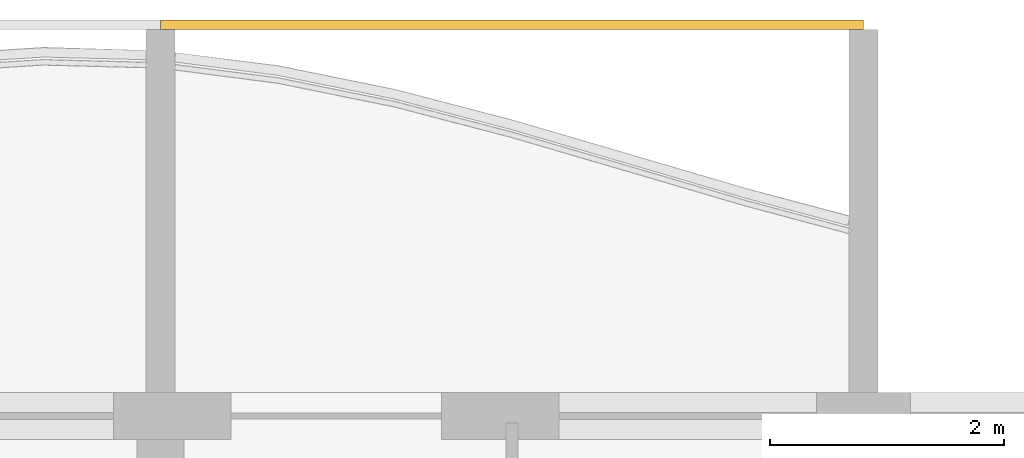
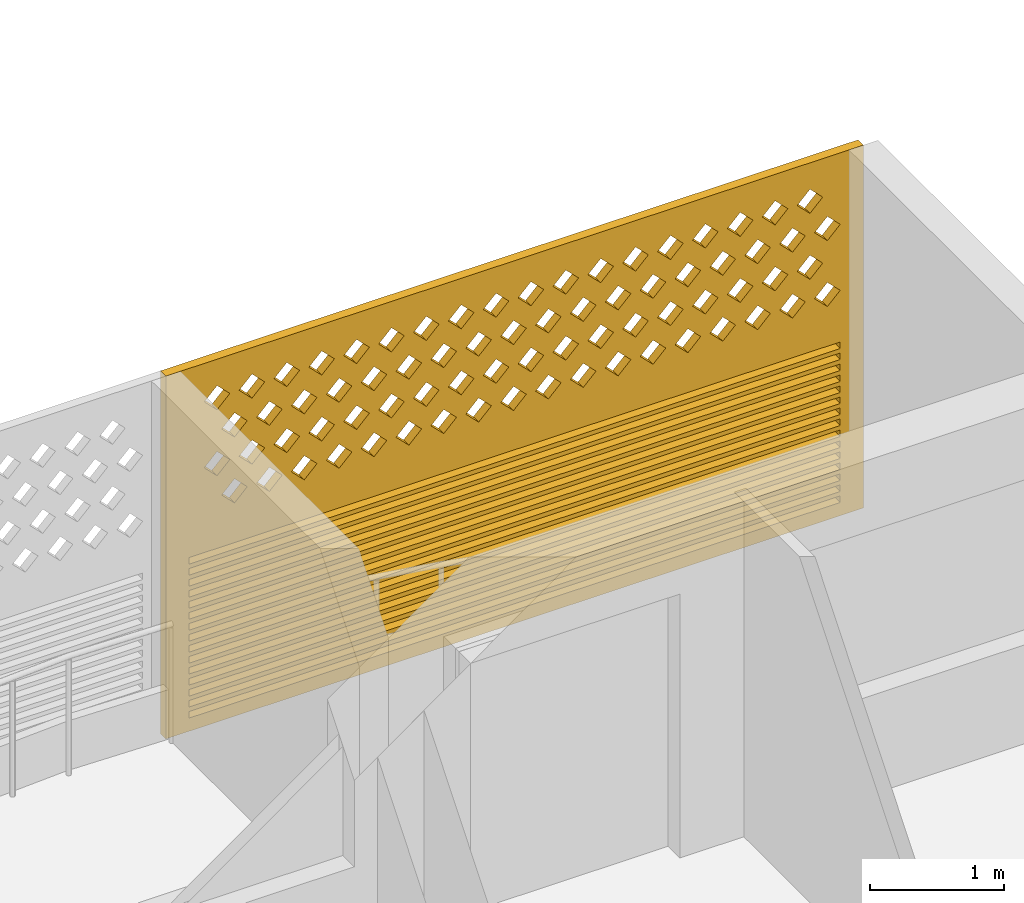
# One storey, part 28 of 39: 1 covering.
"""IFC4 building model written with IfcOpenShell, lengths in metres."""

from ifc_helpers import new_model, si_unit, direction, frame, origin, place, context, subcontext, project, spatial, polyline, outline, extrude, source, transform, mapped, material, material_profile, profile_set, type_object, element, save


model = new_model("IFC4")

# Units and contexts
model_context = context("Model", 3, precision=1e-05, world=origin(), true_north=direction((0.0, 1.0)))
body_context = subcontext(model_context, "Body", "Model", "MODEL_VIEW")
ifc_project = project(units=[si_unit("LENGTHUNIT", "METRE"), si_unit("AREAUNIT", "SQUARE_METRE"), si_unit("VOLUMEUNIT", "CUBIC_METRE"), si_unit("PLANEANGLEUNIT", "RADIAN"), si_unit("MASSUNIT", "GRAM", prefix="KILO")], contexts=[model_context])

# Site, building, storey
site_placement = place(None, origin())
site = spatial("IfcSite", under=ifc_project, at=site_placement, CompositionType="ELEMENT")
building_placement = place(site_placement, origin())
building = spatial("IfcBuilding", under=site, at=building_placement, Name="Poui Terraces", CompositionType="ELEMENT")
storey_placement = place(building_placement, frame((0.0, 0.0, 59.699951171875)))
storey = spatial("IfcBuildingStorey", under=building, at=storey_placement, Name="L16", CompositionType="ELEMENT", Elevation=59.699951171875)

# Covering
ifc_material = material(Name="Terracotta screen", Category="masonry")
ifc_material_profile = material_profile(ifc_material, outline(polyline([(-3.0, -1.64990234375), (3.0, -1.64990234375), (3.0, 1.64990234375), (-3.0, 1.64990234375), (-3.0, -1.64990234375)]), holes=[polyline([(-2.800048828125, 0.39990234375), (-2.68994140625, 0.2900390625), (-2.580078125, 0.39990234375), (-2.68994140625, 0.510009765625), (-2.800048828125, 0.39990234375)]), polyline([(-2.5, 0.39990234375), (-2.389892578125, 0.2900390625), (-2.280029296875, 0.39990234375), (-2.389892578125, 0.510009765625), (-2.5, 0.39990234375)]), polyline([(-2.199951171875, 0.39990234375), (-2.090087890625, 0.2900390625), (-1.97998046875, 0.39990234375), (-2.090087890625, 0.510009765625), (-2.199951171875, 0.39990234375)]), polyline([(-1.89990234375, 0.39990234375), (-1.7900390625, 0.2900390625), (-1.679931640625, 0.39990234375), (-1.7900390625, 0.510009765625), (-1.89990234375, 0.39990234375)]), polyline([(-1.60009765625, 0.39990234375), (-1.489990234375, 0.2900390625), (-1.3798828125, 0.39990234375), (-1.489990234375, 0.510009765625), (-1.60009765625, 0.39990234375)]), polyline([(-1.300048828125, 0.39990234375), (-1.18994140625, 0.2900390625), (-1.080078125, 0.39990234375), (-1.18994140625, 0.510009765625), (-1.300048828125, 0.39990234375)]), polyline([(-1.0, 0.39990234375), (-0.889892578125, 0.2900390625), (-0.780029296875, 0.39990234375), (-0.889892578125, 0.510009765625), (-1.0, 0.39990234375)]), polyline([(-0.699951171875, 0.39990234375), (-0.590087890625, 0.2900390625), (-0.47998046875, 0.39990234375), (-0.590087890625, 0.510009765625), (-0.699951171875, 0.39990234375)]), polyline([(-0.39990234375, 0.39990234375), (-0.2900390625, 0.2900390625), (-0.179931640625, 0.39990234375), (-0.2900390625, 0.510009765625), (-0.39990234375, 0.39990234375)]), polyline([(-0.10009765625, 0.39990234375), (0.010009765625, 0.2900390625), (0.1201171875, 0.39990234375), (0.010009765625, 0.510009765625), (-0.10009765625, 0.39990234375)]), polyline([(0.199951171875, 0.39990234375), (0.31005859375, 0.2900390625), (0.419921875, 0.39990234375), (0.31005859375, 0.510009765625), (0.199951171875, 0.39990234375)]), polyline([(0.5, 0.39990234375), (0.610107421875, 0.2900390625), (0.719970703125, 0.39990234375), (0.610107421875, 0.510009765625), (0.5, 0.39990234375)]), polyline([(0.800048828125, 0.39990234375), (0.909912109375, 0.2900390625), (1.02001953125, 0.39990234375), (0.909912109375, 0.510009765625), (0.800048828125, 0.39990234375)]), polyline([(1.10009765625, 0.39990234375), (1.2099609375, 0.2900390625), (1.320068359375, 0.39990234375), (1.2099609375, 0.510009765625), (1.10009765625, 0.39990234375)]), polyline([(1.39990234375, 0.39990234375), (1.510009765625, 0.2900390625), (1.6201171875, 0.39990234375), (1.510009765625, 0.510009765625), (1.39990234375, 0.39990234375)]), polyline([(1.699951171875, 0.39990234375), (1.81005859375, 0.2900390625), (1.919921875, 0.39990234375), (1.81005859375, 0.510009765625), (1.699951171875, 0.39990234375)]), polyline([(2.0, 0.39990234375), (2.110107421875, 0.2900390625), (2.219970703125, 0.39990234375), (2.110107421875, 0.510009765625), (2.0, 0.39990234375)]), polyline([(2.300048828125, 0.39990234375), (2.409912109375, 0.2900390625), (2.52001953125, 0.39990234375), (2.409912109375, 0.510009765625), (2.300048828125, 0.39990234375)]), polyline([(-2.64990234375, 0.699951171875), (-2.5400390625, 0.590087890625), (-2.429931640625, 0.699951171875), (-2.5400390625, 0.81005859375), (-2.64990234375, 0.699951171875)]), polyline([(-2.35009765625, 0.699951171875), (-2.239990234375, 0.590087890625), (-2.1298828125, 0.699951171875), (-2.239990234375, 0.81005859375), (-2.35009765625, 0.699951171875)]), polyline([(-2.050048828125, 0.699951171875), (-1.93994140625, 0.590087890625), (-1.830078125, 0.699951171875), (-1.93994140625, 0.81005859375), (-2.050048828125, 0.699951171875)]), polyline([(-1.75, 0.699951171875), (-1.639892578125, 0.590087890625), (-1.530029296875, 0.699951171875), (-1.639892578125, 0.81005859375), (-1.75, 0.699951171875)]), polyline([(-1.449951171875, 0.699951171875), (-1.340087890625, 0.590087890625), (-1.22998046875, 0.699951171875), (-1.340087890625, 0.81005859375), (-1.449951171875, 0.699951171875)]), polyline([(-1.14990234375, 0.699951171875), (-1.0400390625, 0.590087890625), (-0.929931640625, 0.699951171875), (-1.0400390625, 0.81005859375), (-1.14990234375, 0.699951171875)]), polyline([(-0.85009765625, 0.699951171875), (-0.739990234375, 0.590087890625), (-0.6298828125, 0.699951171875), (-0.739990234375, 0.81005859375), (-0.85009765625, 0.699951171875)]), polyline([(-0.550048828125, 0.699951171875), (-0.43994140625, 0.590087890625), (-0.330078125, 0.699951171875), (-0.43994140625, 0.81005859375), (-0.550048828125, 0.699951171875)]), polyline([(-0.25, 0.699951171875), (-0.139892578125, 0.590087890625), (-0.030029296875, 0.699951171875), (-0.139892578125, 0.81005859375), (-0.25, 0.699951171875)]), polyline([(0.050048828125, 0.699951171875), (0.159912109375, 0.590087890625), (0.27001953125, 0.699951171875), (0.159912109375, 0.81005859375), (0.050048828125, 0.699951171875)]), polyline([(0.35009765625, 0.699951171875), (0.4599609375, 0.590087890625), (0.570068359375, 0.699951171875), (0.4599609375, 0.81005859375), (0.35009765625, 0.699951171875)]), polyline([(0.64990234375, 0.699951171875), (0.760009765625, 0.590087890625), (0.8701171875, 0.699951171875), (0.760009765625, 0.81005859375), (0.64990234375, 0.699951171875)]), polyline([(0.949951171875, 0.699951171875), (1.06005859375, 0.590087890625), (1.169921875, 0.699951171875), (1.06005859375, 0.81005859375), (0.949951171875, 0.699951171875)]), polyline([(1.25, 0.699951171875), (1.360107421875, 0.590087890625), (1.469970703125, 0.699951171875), (1.360107421875, 0.81005859375), (1.25, 0.699951171875)]), polyline([(1.550048828125, 0.699951171875), (1.659912109375, 0.590087890625), (1.77001953125, 0.699951171875), (1.659912109375, 0.81005859375), (1.550048828125, 0.699951171875)]), polyline([(1.85009765625, 0.699951171875), (1.9599609375, 0.590087890625), (2.070068359375, 0.699951171875), (1.9599609375, 0.81005859375), (1.85009765625, 0.699951171875)]), polyline([(2.14990234375, 0.699951171875), (2.260009765625, 0.590087890625), (2.3701171875, 0.699951171875), (2.260009765625, 0.81005859375), (2.14990234375, 0.699951171875)]), polyline([(2.449951171875, 0.699951171875), (2.56005859375, 0.590087890625), (2.669921875, 0.699951171875), (2.56005859375, 0.81005859375), (2.449951171875, 0.699951171875)]), polyline([(-2.800048828125, 1.0), (-2.68994140625, 0.889892578125), (-2.580078125, 1.0), (-2.68994140625, 1.110107421875), (-2.800048828125, 1.0)]), polyline([(-2.5, 1.0), (-2.389892578125, 0.889892578125), (-2.280029296875, 1.0), (-2.389892578125, 1.110107421875), (-2.5, 1.0)]), polyline([(-2.199951171875, 1.0), (-2.090087890625, 0.889892578125), (-1.97998046875, 1.0), (-2.090087890625, 1.110107421875), (-2.199951171875, 1.0)]), polyline([(-1.89990234375, 1.0), (-1.7900390625, 0.889892578125), (-1.679931640625, 1.0), (-1.7900390625, 1.110107421875), (-1.89990234375, 1.0)]), polyline([(-1.60009765625, 1.0), (-1.489990234375, 0.889892578125), (-1.3798828125, 1.0), (-1.489990234375, 1.110107421875), (-1.60009765625, 1.0)]), polyline([(-1.300048828125, 1.0), (-1.18994140625, 0.889892578125), (-1.080078125, 1.0), (-1.18994140625, 1.110107421875), (-1.300048828125, 1.0)]), polyline([(-1.0, 1.0), (-0.889892578125, 0.889892578125), (-0.780029296875, 1.0), (-0.889892578125, 1.110107421875), (-1.0, 1.0)]), polyline([(-0.699951171875, 1.0), (-0.590087890625, 0.889892578125), (-0.47998046875, 1.0), (-0.590087890625, 1.110107421875), (-0.699951171875, 1.0)]), polyline([(-0.39990234375, 1.0), (-0.2900390625, 0.889892578125), (-0.179931640625, 1.0), (-0.2900390625, 1.110107421875), (-0.39990234375, 1.0)]), polyline([(-0.10009765625, 1.0), (0.010009765625, 0.889892578125), (0.1201171875, 1.0), (0.010009765625, 1.110107421875), (-0.10009765625, 1.0)]), polyline([(0.199951171875, 1.0), (0.31005859375, 0.889892578125), (0.419921875, 1.0), (0.31005859375, 1.110107421875), (0.199951171875, 1.0)]), polyline([(0.5, 1.0), (0.610107421875, 0.889892578125), (0.719970703125, 1.0), (0.610107421875, 1.110107421875), (0.5, 1.0)]), polyline([(0.800048828125, 1.0), (0.909912109375, 0.889892578125), (1.02001953125, 1.0), (0.909912109375, 1.110107421875), (0.800048828125, 1.0)]), polyline([(1.10009765625, 1.0), (1.2099609375, 0.889892578125), (1.320068359375, 1.0), (1.2099609375, 1.110107421875), (1.10009765625, 1.0)]), polyline([(1.39990234375, 1.0), (1.510009765625, 0.889892578125), (1.6201171875, 1.0), (1.510009765625, 1.110107421875), (1.39990234375, 1.0)]), polyline([(1.699951171875, 1.0), (1.81005859375, 0.889892578125), (1.919921875, 1.0), (1.81005859375, 1.110107421875), (1.699951171875, 1.0)]), polyline([(2.0, 1.0), (2.110107421875, 0.889892578125), (2.219970703125, 1.0), (2.110107421875, 1.110107421875), (2.0, 1.0)]), polyline([(2.300048828125, 1.0), (2.409912109375, 0.889892578125), (2.52001953125, 1.0), (2.409912109375, 1.110107421875), (2.300048828125, 1.0)]), polyline([(-2.64990234375, 1.300048828125), (-2.5400390625, 1.18994140625), (-2.429931640625, 1.300048828125), (-2.5400390625, 1.409912109375), (-2.64990234375, 1.300048828125)]), polyline([(-2.35009765625, 1.300048828125), (-2.239990234375, 1.18994140625), (-2.1298828125, 1.300048828125), (-2.239990234375, 1.409912109375), (-2.35009765625, 1.300048828125)]), polyline([(-2.050048828125, 1.300048828125), (-1.93994140625, 1.18994140625), (-1.830078125, 1.300048828125), (-1.93994140625, 1.409912109375), (-2.050048828125, 1.300048828125)]), polyline([(-1.75, 1.300048828125), (-1.639892578125, 1.18994140625), (-1.530029296875, 1.300048828125), (-1.639892578125, 1.409912109375), (-1.75, 1.300048828125)]), polyline([(-1.449951171875, 1.300048828125), (-1.340087890625, 1.18994140625), (-1.22998046875, 1.300048828125), (-1.340087890625, 1.409912109375), (-1.449951171875, 1.300048828125)]), polyline([(-1.14990234375, 1.300048828125), (-1.0400390625, 1.18994140625), (-0.929931640625, 1.300048828125), (-1.0400390625, 1.409912109375), (-1.14990234375, 1.300048828125)]), polyline([(-0.85009765625, 1.300048828125), (-0.739990234375, 1.18994140625), (-0.6298828125, 1.300048828125), (-0.739990234375, 1.409912109375), (-0.85009765625, 1.300048828125)]), polyline([(-0.550048828125, 1.300048828125), (-0.43994140625, 1.18994140625), (-0.330078125, 1.300048828125), (-0.43994140625, 1.409912109375), (-0.550048828125, 1.300048828125)]), polyline([(-0.25, 1.300048828125), (-0.139892578125, 1.18994140625), (-0.030029296875, 1.300048828125), (-0.139892578125, 1.409912109375), (-0.25, 1.300048828125)]), polyline([(0.050048828125, 1.300048828125), (0.159912109375, 1.18994140625), (0.27001953125, 1.300048828125), (0.159912109375, 1.409912109375), (0.050048828125, 1.300048828125)]), polyline([(0.35009765625, 1.300048828125), (0.4599609375, 1.18994140625), (0.570068359375, 1.300048828125), (0.4599609375, 1.409912109375), (0.35009765625, 1.300048828125)]), polyline([(0.64990234375, 1.300048828125), (0.760009765625, 1.18994140625), (0.8701171875, 1.300048828125), (0.760009765625, 1.409912109375), (0.64990234375, 1.300048828125)]), polyline([(0.949951171875, 1.300048828125), (1.06005859375, 1.18994140625), (1.169921875, 1.300048828125), (1.06005859375, 1.409912109375), (0.949951171875, 1.300048828125)]), polyline([(1.25, 1.300048828125), (1.360107421875, 1.18994140625), (1.469970703125, 1.300048828125), (1.360107421875, 1.409912109375), (1.25, 1.300048828125)]), polyline([(1.550048828125, 1.300048828125), (1.659912109375, 1.18994140625), (1.77001953125, 1.300048828125), (1.659912109375, 1.409912109375), (1.550048828125, 1.300048828125)]), polyline([(1.85009765625, 1.300048828125), (1.9599609375, 1.18994140625), (2.070068359375, 1.300048828125), (1.9599609375, 1.409912109375), (1.85009765625, 1.300048828125)]), polyline([(2.14990234375, 1.300048828125), (2.260009765625, 1.18994140625), (2.3701171875, 1.300048828125), (2.260009765625, 1.409912109375), (2.14990234375, 1.300048828125)]), polyline([(2.449951171875, 1.300048828125), (2.56005859375, 1.18994140625), (2.669921875, 1.300048828125), (2.56005859375, 1.409912109375), (2.449951171875, 1.300048828125)]), polyline([(-2.800048828125, -1.530029296875), (2.800048828125, -1.530029296875), (2.800048828125, -1.469970703125), (-2.800048828125, -1.469970703125), (-2.800048828125, -1.530029296875)]), polyline([(-2.800048828125, -1.429931640625), (2.800048828125, -1.429931640625), (2.800048828125, -1.3701171875), (-2.800048828125, -1.3701171875), (-2.800048828125, -1.429931640625)]), polyline([(-2.800048828125, -1.330078125), (2.800048828125, -1.330078125), (2.800048828125, -1.27001953125), (-2.800048828125, -1.27001953125), (-2.800048828125, -1.330078125)]), polyline([(-2.800048828125, -1.22998046875), (2.800048828125, -1.22998046875), (2.800048828125, -1.169921875), (-2.800048828125, -1.169921875), (-2.800048828125, -1.22998046875)]), polyline([(-2.800048828125, -1.1298828125), (2.800048828125, -1.1298828125), (2.800048828125, -1.070068359375), (-2.800048828125, -1.070068359375), (-2.800048828125, -1.1298828125)]), polyline([(-2.800048828125, -1.030029296875), (2.800048828125, -1.030029296875), (2.800048828125, -0.969970703125), (-2.800048828125, -0.969970703125), (-2.800048828125, -1.030029296875)]), polyline([(-2.800048828125, -0.929931640625), (2.800048828125, -0.929931640625), (2.800048828125, -0.8701171875), (-2.800048828125, -0.8701171875), (-2.800048828125, -0.929931640625)]), polyline([(-2.800048828125, -0.830078125), (2.800048828125, -0.830078125), (2.800048828125, -0.77001953125), (-2.800048828125, -0.77001953125), (-2.800048828125, -0.830078125)]), polyline([(-2.800048828125, -0.72998046875), (2.800048828125, -0.72998046875), (2.800048828125, -0.669921875), (-2.800048828125, -0.669921875), (-2.800048828125, -0.72998046875)]), polyline([(-2.800048828125, -0.6298828125), (2.800048828125, -0.6298828125), (2.800048828125, -0.570068359375), (-2.800048828125, -0.570068359375), (-2.800048828125, -0.6298828125)]), polyline([(-2.800048828125, -0.530029296875), (2.800048828125, -0.530029296875), (2.800048828125, -0.469970703125), (-2.800048828125, -0.469970703125), (-2.800048828125, -0.530029296875)]), polyline([(-2.800048828125, -0.429931640625), (2.800048828125, -0.429931640625), (2.800048828125, -0.3701171875), (-2.800048828125, -0.3701171875), (-2.800048828125, -0.429931640625)]), polyline([(-2.800048828125, -0.330078125), (2.800048828125, -0.330078125), (2.800048828125, -0.27001953125), (-2.800048828125, -0.27001953125), (-2.800048828125, -0.330078125)]), polyline([(-2.800048828125, -0.22998046875), (2.800048828125, -0.22998046875), (2.800048828125, -0.169921875), (-2.800048828125, -0.169921875), (-2.800048828125, -0.22998046875)]), polyline([(-2.800048828125, -0.1298828125), (2.800048828125, -0.1298828125), (2.800048828125, -0.070068359375), (-2.800048828125, -0.070068359375), (-2.800048828125, -0.1298828125)])]), Name="TERRACOTTA SCREEN AND JALOUSIE LOUVRE 6000X3300")
ifc_profile_set = profile_set([ifc_material_profile], Name="Terracotta screen")
covering_type = type_object("IfcCoveringType", Name="TERRACOTTA SCREEN AND JALOUSIE LOUVRE 6000X3300", PredefinedType="CLADDING", material=ifc_profile_set)
shared_shape = source(origin(), body_context, "Body", "SweptSolid", [
    extrude(outline(polyline([(-3.0, -1.64990234375), (3.0, -1.64990234375), (3.0, 1.64990234375), (-3.0, 1.64990234375), (-3.0, -1.64990234375)]), holes=[polyline([(-2.800048828125, 0.39990234375), (-2.68994140625, 0.2900390625), (-2.580078125, 0.39990234375), (-2.68994140625, 0.510009765625), (-2.800048828125, 0.39990234375)]), polyline([(-2.5, 0.39990234375), (-2.389892578125, 0.2900390625), (-2.280029296875, 0.39990234375), (-2.389892578125, 0.510009765625), (-2.5, 0.39990234375)]), polyline([(-2.199951171875, 0.39990234375), (-2.090087890625, 0.2900390625), (-1.97998046875, 0.39990234375), (-2.090087890625, 0.510009765625), (-2.199951171875, 0.39990234375)]), polyline([(-1.89990234375, 0.39990234375), (-1.7900390625, 0.2900390625), (-1.679931640625, 0.39990234375), (-1.7900390625, 0.510009765625), (-1.89990234375, 0.39990234375)]), polyline([(-1.60009765625, 0.39990234375), (-1.489990234375, 0.2900390625), (-1.3798828125, 0.39990234375), (-1.489990234375, 0.510009765625), (-1.60009765625, 0.39990234375)]), polyline([(-1.300048828125, 0.39990234375), (-1.18994140625, 0.2900390625), (-1.080078125, 0.39990234375), (-1.18994140625, 0.510009765625), (-1.300048828125, 0.39990234375)]), polyline([(-1.0, 0.39990234375), (-0.889892578125, 0.2900390625), (-0.780029296875, 0.39990234375), (-0.889892578125, 0.510009765625), (-1.0, 0.39990234375)]), polyline([(-0.699951171875, 0.39990234375), (-0.590087890625, 0.2900390625), (-0.47998046875, 0.39990234375), (-0.590087890625, 0.510009765625), (-0.699951171875, 0.39990234375)]), polyline([(-0.39990234375, 0.39990234375), (-0.2900390625, 0.2900390625), (-0.179931640625, 0.39990234375), (-0.2900390625, 0.510009765625), (-0.39990234375, 0.39990234375)]), polyline([(-0.10009765625, 0.39990234375), (0.010009765625, 0.2900390625), (0.1201171875, 0.39990234375), (0.010009765625, 0.510009765625), (-0.10009765625, 0.39990234375)]), polyline([(0.199951171875, 0.39990234375), (0.31005859375, 0.2900390625), (0.419921875, 0.39990234375), (0.31005859375, 0.510009765625), (0.199951171875, 0.39990234375)]), polyline([(0.5, 0.39990234375), (0.610107421875, 0.2900390625), (0.719970703125, 0.39990234375), (0.610107421875, 0.510009765625), (0.5, 0.39990234375)]), polyline([(0.800048828125, 0.39990234375), (0.909912109375, 0.2900390625), (1.02001953125, 0.39990234375), (0.909912109375, 0.510009765625), (0.800048828125, 0.39990234375)]), polyline([(1.10009765625, 0.39990234375), (1.2099609375, 0.2900390625), (1.320068359375, 0.39990234375), (1.2099609375, 0.510009765625), (1.10009765625, 0.39990234375)]), polyline([(1.39990234375, 0.39990234375), (1.510009765625, 0.2900390625), (1.6201171875, 0.39990234375), (1.510009765625, 0.510009765625), (1.39990234375, 0.39990234375)]), polyline([(1.699951171875, 0.39990234375), (1.81005859375, 0.2900390625), (1.919921875, 0.39990234375), (1.81005859375, 0.510009765625), (1.699951171875, 0.39990234375)]), polyline([(2.0, 0.39990234375), (2.110107421875, 0.2900390625), (2.219970703125, 0.39990234375), (2.110107421875, 0.510009765625), (2.0, 0.39990234375)]), polyline([(2.300048828125, 0.39990234375), (2.409912109375, 0.2900390625), (2.52001953125, 0.39990234375), (2.409912109375, 0.510009765625), (2.300048828125, 0.39990234375)]), polyline([(-2.64990234375, 0.699951171875), (-2.5400390625, 0.590087890625), (-2.429931640625, 0.699951171875), (-2.5400390625, 0.81005859375), (-2.64990234375, 0.699951171875)]), polyline([(-2.35009765625, 0.699951171875), (-2.239990234375, 0.590087890625), (-2.1298828125, 0.699951171875), (-2.239990234375, 0.81005859375), (-2.35009765625, 0.699951171875)]), polyline([(-2.050048828125, 0.699951171875), (-1.93994140625, 0.590087890625), (-1.830078125, 0.699951171875), (-1.93994140625, 0.81005859375), (-2.050048828125, 0.699951171875)]), polyline([(-1.75, 0.699951171875), (-1.639892578125, 0.590087890625), (-1.530029296875, 0.699951171875), (-1.639892578125, 0.81005859375), (-1.75, 0.699951171875)]), polyline([(-1.449951171875, 0.699951171875), (-1.340087890625, 0.590087890625), (-1.22998046875, 0.699951171875), (-1.340087890625, 0.81005859375), (-1.449951171875, 0.699951171875)]), polyline([(-1.14990234375, 0.699951171875), (-1.0400390625, 0.590087890625), (-0.929931640625, 0.699951171875), (-1.0400390625, 0.81005859375), (-1.14990234375, 0.699951171875)]), polyline([(-0.85009765625, 0.699951171875), (-0.739990234375, 0.590087890625), (-0.6298828125, 0.699951171875), (-0.739990234375, 0.81005859375), (-0.85009765625, 0.699951171875)]), polyline([(-0.550048828125, 0.699951171875), (-0.43994140625, 0.590087890625), (-0.330078125, 0.699951171875), (-0.43994140625, 0.81005859375), (-0.550048828125, 0.699951171875)]), polyline([(-0.25, 0.699951171875), (-0.139892578125, 0.590087890625), (-0.030029296875, 0.699951171875), (-0.139892578125, 0.81005859375), (-0.25, 0.699951171875)]), polyline([(0.050048828125, 0.699951171875), (0.159912109375, 0.590087890625), (0.27001953125, 0.699951171875), (0.159912109375, 0.81005859375), (0.050048828125, 0.699951171875)]), polyline([(0.35009765625, 0.699951171875), (0.4599609375, 0.590087890625), (0.570068359375, 0.699951171875), (0.4599609375, 0.81005859375), (0.35009765625, 0.699951171875)]), polyline([(0.64990234375, 0.699951171875), (0.760009765625, 0.590087890625), (0.8701171875, 0.699951171875), (0.760009765625, 0.81005859375), (0.64990234375, 0.699951171875)]), polyline([(0.949951171875, 0.699951171875), (1.06005859375, 0.590087890625), (1.169921875, 0.699951171875), (1.06005859375, 0.81005859375), (0.949951171875, 0.699951171875)]), polyline([(1.25, 0.699951171875), (1.360107421875, 0.590087890625), (1.469970703125, 0.699951171875), (1.360107421875, 0.81005859375), (1.25, 0.699951171875)]), polyline([(1.550048828125, 0.699951171875), (1.659912109375, 0.590087890625), (1.77001953125, 0.699951171875), (1.659912109375, 0.81005859375), (1.550048828125, 0.699951171875)]), polyline([(1.85009765625, 0.699951171875), (1.9599609375, 0.590087890625), (2.070068359375, 0.699951171875), (1.9599609375, 0.81005859375), (1.85009765625, 0.699951171875)]), polyline([(2.14990234375, 0.699951171875), (2.260009765625, 0.590087890625), (2.3701171875, 0.699951171875), (2.260009765625, 0.81005859375), (2.14990234375, 0.699951171875)]), polyline([(2.449951171875, 0.699951171875), (2.56005859375, 0.590087890625), (2.669921875, 0.699951171875), (2.56005859375, 0.81005859375), (2.449951171875, 0.699951171875)]), polyline([(-2.800048828125, 1.0), (-2.68994140625, 0.889892578125), (-2.580078125, 1.0), (-2.68994140625, 1.110107421875), (-2.800048828125, 1.0)]), polyline([(-2.5, 1.0), (-2.389892578125, 0.889892578125), (-2.280029296875, 1.0), (-2.389892578125, 1.110107421875), (-2.5, 1.0)]), polyline([(-2.199951171875, 1.0), (-2.090087890625, 0.889892578125), (-1.97998046875, 1.0), (-2.090087890625, 1.110107421875), (-2.199951171875, 1.0)]), polyline([(-1.89990234375, 1.0), (-1.7900390625, 0.889892578125), (-1.679931640625, 1.0), (-1.7900390625, 1.110107421875), (-1.89990234375, 1.0)]), polyline([(-1.60009765625, 1.0), (-1.489990234375, 0.889892578125), (-1.3798828125, 1.0), (-1.489990234375, 1.110107421875), (-1.60009765625, 1.0)]), polyline([(-1.300048828125, 1.0), (-1.18994140625, 0.889892578125), (-1.080078125, 1.0), (-1.18994140625, 1.110107421875), (-1.300048828125, 1.0)]), polyline([(-1.0, 1.0), (-0.889892578125, 0.889892578125), (-0.780029296875, 1.0), (-0.889892578125, 1.110107421875), (-1.0, 1.0)]), polyline([(-0.699951171875, 1.0), (-0.590087890625, 0.889892578125), (-0.47998046875, 1.0), (-0.590087890625, 1.110107421875), (-0.699951171875, 1.0)]), polyline([(-0.39990234375, 1.0), (-0.2900390625, 0.889892578125), (-0.179931640625, 1.0), (-0.2900390625, 1.110107421875), (-0.39990234375, 1.0)]), polyline([(-0.10009765625, 1.0), (0.010009765625, 0.889892578125), (0.1201171875, 1.0), (0.010009765625, 1.110107421875), (-0.10009765625, 1.0)]), polyline([(0.199951171875, 1.0), (0.31005859375, 0.889892578125), (0.419921875, 1.0), (0.31005859375, 1.110107421875), (0.199951171875, 1.0)]), polyline([(0.5, 1.0), (0.610107421875, 0.889892578125), (0.719970703125, 1.0), (0.610107421875, 1.110107421875), (0.5, 1.0)]), polyline([(0.800048828125, 1.0), (0.909912109375, 0.889892578125), (1.02001953125, 1.0), (0.909912109375, 1.110107421875), (0.800048828125, 1.0)]), polyline([(1.10009765625, 1.0), (1.2099609375, 0.889892578125), (1.320068359375, 1.0), (1.2099609375, 1.110107421875), (1.10009765625, 1.0)]), polyline([(1.39990234375, 1.0), (1.510009765625, 0.889892578125), (1.6201171875, 1.0), (1.510009765625, 1.110107421875), (1.39990234375, 1.0)]), polyline([(1.699951171875, 1.0), (1.81005859375, 0.889892578125), (1.919921875, 1.0), (1.81005859375, 1.110107421875), (1.699951171875, 1.0)]), polyline([(2.0, 1.0), (2.110107421875, 0.889892578125), (2.219970703125, 1.0), (2.110107421875, 1.110107421875), (2.0, 1.0)]), polyline([(2.300048828125, 1.0), (2.409912109375, 0.889892578125), (2.52001953125, 1.0), (2.409912109375, 1.110107421875), (2.300048828125, 1.0)]), polyline([(-2.64990234375, 1.300048828125), (-2.5400390625, 1.18994140625), (-2.429931640625, 1.300048828125), (-2.5400390625, 1.409912109375), (-2.64990234375, 1.300048828125)]), polyline([(-2.35009765625, 1.300048828125), (-2.239990234375, 1.18994140625), (-2.1298828125, 1.300048828125), (-2.239990234375, 1.409912109375), (-2.35009765625, 1.300048828125)]), polyline([(-2.050048828125, 1.300048828125), (-1.93994140625, 1.18994140625), (-1.830078125, 1.300048828125), (-1.93994140625, 1.409912109375), (-2.050048828125, 1.300048828125)]), polyline([(-1.75, 1.300048828125), (-1.639892578125, 1.18994140625), (-1.530029296875, 1.300048828125), (-1.639892578125, 1.409912109375), (-1.75, 1.300048828125)]), polyline([(-1.449951171875, 1.300048828125), (-1.340087890625, 1.18994140625), (-1.22998046875, 1.300048828125), (-1.340087890625, 1.409912109375), (-1.449951171875, 1.300048828125)]), polyline([(-1.14990234375, 1.300048828125), (-1.0400390625, 1.18994140625), (-0.929931640625, 1.300048828125), (-1.0400390625, 1.409912109375), (-1.14990234375, 1.300048828125)]), polyline([(-0.85009765625, 1.300048828125), (-0.739990234375, 1.18994140625), (-0.6298828125, 1.300048828125), (-0.739990234375, 1.409912109375), (-0.85009765625, 1.300048828125)]), polyline([(-0.550048828125, 1.300048828125), (-0.43994140625, 1.18994140625), (-0.330078125, 1.300048828125), (-0.43994140625, 1.409912109375), (-0.550048828125, 1.300048828125)]), polyline([(-0.25, 1.300048828125), (-0.139892578125, 1.18994140625), (-0.030029296875, 1.300048828125), (-0.139892578125, 1.409912109375), (-0.25, 1.300048828125)]), polyline([(0.050048828125, 1.300048828125), (0.159912109375, 1.18994140625), (0.27001953125, 1.300048828125), (0.159912109375, 1.409912109375), (0.050048828125, 1.300048828125)]), polyline([(0.35009765625, 1.300048828125), (0.4599609375, 1.18994140625), (0.570068359375, 1.300048828125), (0.4599609375, 1.409912109375), (0.35009765625, 1.300048828125)]), polyline([(0.64990234375, 1.300048828125), (0.760009765625, 1.18994140625), (0.8701171875, 1.300048828125), (0.760009765625, 1.409912109375), (0.64990234375, 1.300048828125)]), polyline([(0.949951171875, 1.300048828125), (1.06005859375, 1.18994140625), (1.169921875, 1.300048828125), (1.06005859375, 1.409912109375), (0.949951171875, 1.300048828125)]), polyline([(1.25, 1.300048828125), (1.360107421875, 1.18994140625), (1.469970703125, 1.300048828125), (1.360107421875, 1.409912109375), (1.25, 1.300048828125)]), polyline([(1.550048828125, 1.300048828125), (1.659912109375, 1.18994140625), (1.77001953125, 1.300048828125), (1.659912109375, 1.409912109375), (1.550048828125, 1.300048828125)]), polyline([(1.85009765625, 1.300048828125), (1.9599609375, 1.18994140625), (2.070068359375, 1.300048828125), (1.9599609375, 1.409912109375), (1.85009765625, 1.300048828125)]), polyline([(2.14990234375, 1.300048828125), (2.260009765625, 1.18994140625), (2.3701171875, 1.300048828125), (2.260009765625, 1.409912109375), (2.14990234375, 1.300048828125)]), polyline([(2.449951171875, 1.300048828125), (2.56005859375, 1.18994140625), (2.669921875, 1.300048828125), (2.56005859375, 1.409912109375), (2.449951171875, 1.300048828125)]), polyline([(-2.800048828125, -1.530029296875), (2.800048828125, -1.530029296875), (2.800048828125, -1.469970703125), (-2.800048828125, -1.469970703125), (-2.800048828125, -1.530029296875)]), polyline([(-2.800048828125, -1.429931640625), (2.800048828125, -1.429931640625), (2.800048828125, -1.3701171875), (-2.800048828125, -1.3701171875), (-2.800048828125, -1.429931640625)]), polyline([(-2.800048828125, -1.330078125), (2.800048828125, -1.330078125), (2.800048828125, -1.27001953125), (-2.800048828125, -1.27001953125), (-2.800048828125, -1.330078125)]), polyline([(-2.800048828125, -1.22998046875), (2.800048828125, -1.22998046875), (2.800048828125, -1.169921875), (-2.800048828125, -1.169921875), (-2.800048828125, -1.22998046875)]), polyline([(-2.800048828125, -1.1298828125), (2.800048828125, -1.1298828125), (2.800048828125, -1.070068359375), (-2.800048828125, -1.070068359375), (-2.800048828125, -1.1298828125)]), polyline([(-2.800048828125, -1.030029296875), (2.800048828125, -1.030029296875), (2.800048828125, -0.969970703125), (-2.800048828125, -0.969970703125), (-2.800048828125, -1.030029296875)]), polyline([(-2.800048828125, -0.929931640625), (2.800048828125, -0.929931640625), (2.800048828125, -0.8701171875), (-2.800048828125, -0.8701171875), (-2.800048828125, -0.929931640625)]), polyline([(-2.800048828125, -0.830078125), (2.800048828125, -0.830078125), (2.800048828125, -0.77001953125), (-2.800048828125, -0.77001953125), (-2.800048828125, -0.830078125)]), polyline([(-2.800048828125, -0.72998046875), (2.800048828125, -0.72998046875), (2.800048828125, -0.669921875), (-2.800048828125, -0.669921875), (-2.800048828125, -0.72998046875)]), polyline([(-2.800048828125, -0.6298828125), (2.800048828125, -0.6298828125), (2.800048828125, -0.570068359375), (-2.800048828125, -0.570068359375), (-2.800048828125, -0.6298828125)]), polyline([(-2.800048828125, -0.530029296875), (2.800048828125, -0.530029296875), (2.800048828125, -0.469970703125), (-2.800048828125, -0.469970703125), (-2.800048828125, -0.530029296875)]), polyline([(-2.800048828125, -0.429931640625), (2.800048828125, -0.429931640625), (2.800048828125, -0.3701171875), (-2.800048828125, -0.3701171875), (-2.800048828125, -0.429931640625)]), polyline([(-2.800048828125, -0.330078125), (2.800048828125, -0.330078125), (2.800048828125, -0.27001953125), (-2.800048828125, -0.27001953125), (-2.800048828125, -0.330078125)]), polyline([(-2.800048828125, -0.22998046875), (2.800048828125, -0.22998046875), (2.800048828125, -0.169921875), (-2.800048828125, -0.169921875), (-2.800048828125, -0.22998046875)]), polyline([(-2.800048828125, -0.1298828125), (2.800048828125, -0.1298828125), (2.800048828125, -0.070068359375), (-2.800048828125, -0.070068359375), (-2.800048828125, -0.1298828125)])]), origin(), (0.0, 0.0, 1.0), 0.079833984375),
])
covering_placement = place(storey_placement, frame((45.0, 48.10009765625, 1.449951171875), z_axis=(0.0, 1.0, 0.0), x_axis=(-1.0, 0.0, 0.0)))
element("IfcCovering", 1, at=covering_placement, inside=storey, type_object=covering_type, Name="SOLAR SCREEN AND JALOUSIE LOUVRE", PredefinedType="CLADDING", context=body_context, shape_type="MappedRepresentation", body=[
    mapped(shared_shape, transform((0.0, 0.0, 0.0))),
])

save(model, "model.ifc")
